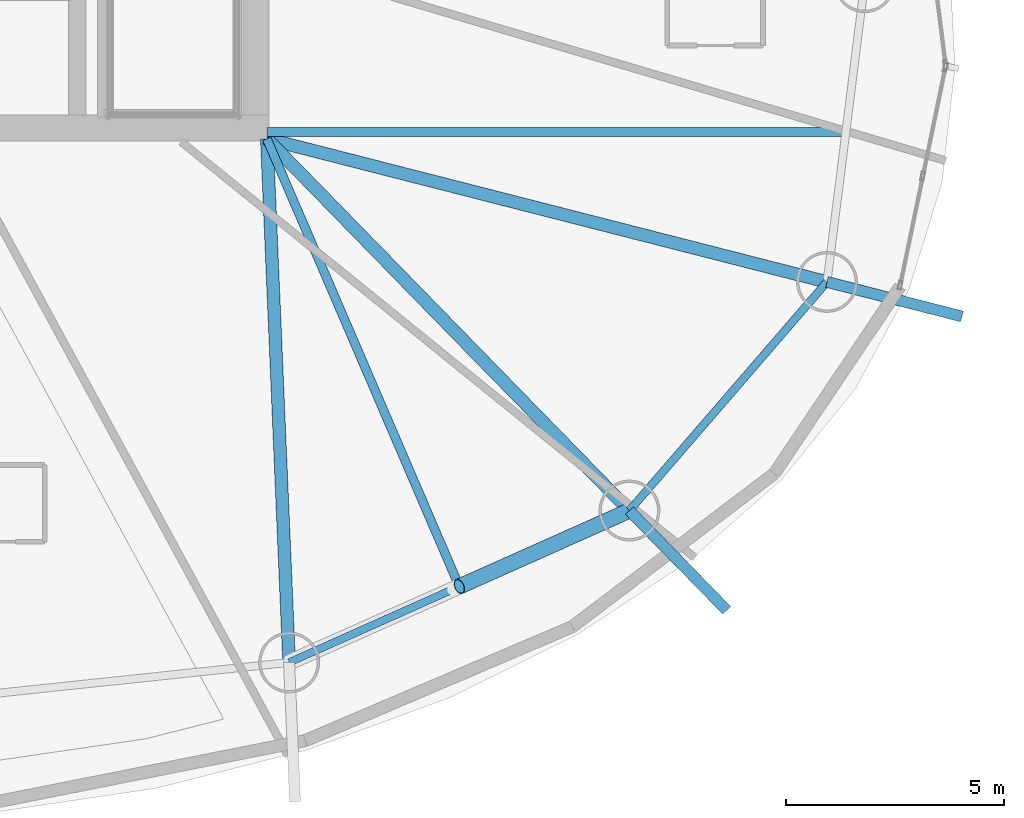
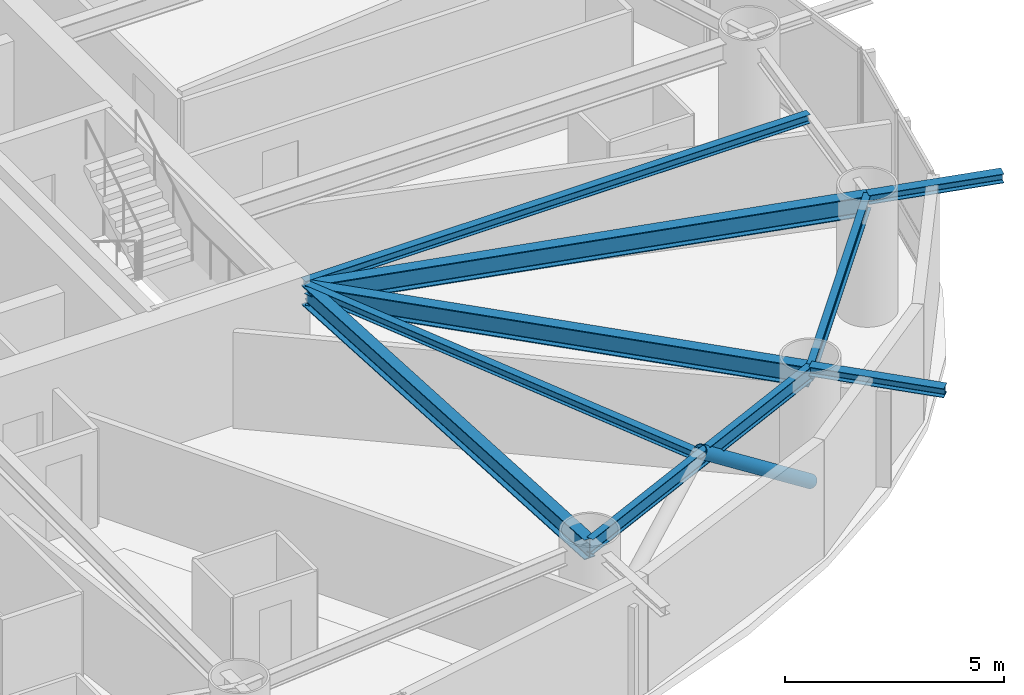
# One storey, part 9 of 26: 9 beams, 1 member.
"""IFC4 building model written with IfcOpenShell, lengths in metres."""

import ifcopenshell
import ifcopenshell.guid

model = None  # the IFC model being written
_history = None  # IfcOwnerHistory: only IFC2X3 demands one
_inside = {}  # id of a spatial element -> (the spatial element, [elements in it])
_under = {}  # id of a project, library or spatial element -> (it, [spatial elements below it])
_declared = {}  # id of a project -> (the project, [libraries it declares])
_typed = {}  # id of a type object -> (the type object, [elements of that type])
_made_of = {}  # id of a material, layer set ... -> (it, [elements and type objects made of it])


def new_model(schema):
    """Start an empty IFC model of exactly this schema.

    Asked for "IFC4X3", IfcOpenShell would pick the latest addendum, in which some entities
    have other attributes; the version numbers below select the first issue.
    IFC2X3 requires an IfcOwnerHistory on every rooted entity: one is made here for all.
    """
    global model, _history
    if schema == "IFC4X3":
        model = ifcopenshell.file(schema_version=(4, 3, 0, 0))
    else:
        model = ifcopenshell.file(schema=schema)
    _inside.clear()
    _under.clear()
    _declared.clear()
    _typed.clear()
    _made_of.clear()
    _history = None
    if model.schema == "IFC2X3":
        org = make("IfcOrganization", Name="unknown")
        user = make(
            "IfcPersonAndOrganization",
            ThePerson=make("IfcPerson", FamilyName="unknown"),
            TheOrganization=org,
        )
        app = make(
            "IfcApplication",
            ApplicationDeveloper=org,
            Version="unknown",
            ApplicationFullName="unknown",
            ApplicationIdentifier="unknown",
        )
        _history = make(
            "IfcOwnerHistory",
            OwningUser=user,
            OwningApplication=app,
            ChangeAction="ADDED",
            CreationDate=0,
        )
    return model


def make(cls, **values):
    """One entity of the class cls with the attributes given. An attribute that is None is left unset."""
    return model.create_entity(
        cls, **{name: value for name, value in values.items() if value is not None}
    )


def rooted(cls, **values):
    """An entity with a GlobalId (a new one), such as an element, a storey or a relation."""
    return make(cls, GlobalId=ifcopenshell.guid.new(), OwnerHistory=_history, **values)


def si_unit(unit_type, name, prefix=None):
    """IfcSIUnit, for example si_unit("LENGTHUNIT", "METRE", prefix="MILLI")."""
    return make("IfcSIUnit", UnitType=unit_type, Prefix=prefix, Name=name)


def assignment(units):
    """IfcUnitAssignment: the units of a project."""
    return None if units is None else make("IfcUnitAssignment", Units=units)


def point(xyz):
    """IfcCartesianPoint."""
    return None if xyz is None else make("IfcCartesianPoint", Coordinates=xyz)


def direction(xyz):
    """IfcDirection."""
    return None if xyz is None else make("IfcDirection", DirectionRatios=xyz)


def frame(location, z_axis=None, x_axis=None):
    """IfcAxis2Placement3D, a coordinate frame: its origin and axes. An axis left out is left unset."""
    return make(
        "IfcAxis2Placement3D",
        Location=point(location),
        Axis=direction(z_axis),
        RefDirection=direction(x_axis),
    )


def frame_2d(location, x_axis=None):
    """IfcAxis2Placement2D, a coordinate frame in the plane: its origin and x axis."""
    return make(
        "IfcAxis2Placement2D", Location=point(location), RefDirection=direction(x_axis)
    )


def origin():
    """The frame at (0, 0, 0) with its axes left unset."""
    return frame((0.0, 0.0, 0.0))


def origin_2d():
    """The frame at (0, 0) in the plane with its x axis left unset."""
    return frame_2d((0.0, 0.0))


def place(relative_to, where):
    """IfcLocalPlacement: puts the frame where relative to a parent placement (None: the world)."""
    return make(
        "IfcLocalPlacement", PlacementRelTo=relative_to, RelativePlacement=where
    )


def context(
    kind, dimensions, precision=None, world=None, true_north=None, identifier=None
):
    """IfcGeometricRepresentationContext, for example the 3D "Model" context."""
    return make(
        "IfcGeometricRepresentationContext",
        ContextIdentifier=identifier,
        ContextType=kind,
        CoordinateSpaceDimension=dimensions,
        Precision=precision,
        WorldCoordinateSystem=world,
        TrueNorth=true_north,
    )


def subcontext(parent, identifier, kind, view, scale=None):
    """IfcGeometricRepresentationSubContext, for example "Body" below "Model"."""
    return make(
        "IfcGeometricRepresentationSubContext",
        ContextIdentifier=identifier,
        ContextType=kind,
        ParentContext=parent,
        TargetScale=scale,
        TargetView=view,
    )


def project(units=None, contexts=None):
    """IfcProject with its units and contexts."""
    return rooted(
        "IfcProject",
        Name="project",
        RepresentationContexts=contexts,
        UnitsInContext=assignment(units),
    )


def spatial(cls, under=None, at=None, **own):
    """A site, building, storey or space (cls), placed at a placement, below another one or the project."""
    s = rooted(cls, ObjectPlacement=at, **own)
    if under is not None:
        _under.setdefault(under.id(), (under, []))[1].append(s)
    return s


def profile(cls, at=None, kind="AREA", **sizes):
    """A parametric profile (cls). Its sizes go by their IFC names, for example OverallWidth=200.0."""
    return make(cls, ProfileType=kind, Position=at, **sizes)


def hollow_circle(**sizes):
    """IfcCircleHollowProfileDef."""
    return profile("IfcCircleHollowProfileDef", **sizes)


def i_section(**sizes):
    """IfcIShapeProfileDef."""
    return profile("IfcIShapeProfileDef", **sizes)


def extrude(swept, where, along, depth):
    """IfcExtrudedAreaSolid: the profile swept, set in the frame where, extruded along a direction by depth."""
    return make(
        "IfcExtrudedAreaSolid",
        SweptArea=swept,
        Position=where,
        ExtrudedDirection=direction(along),
        Depth=depth,
    )


def shape(context_of_items, identifier, shape_type, items):
    """IfcShapeRepresentation: the items that make up one representation, for example the "Body"."""
    return make(
        "IfcShapeRepresentation",
        ContextOfItems=context_of_items,
        RepresentationIdentifier=identifier,
        RepresentationType=shape_type,
        Items=items,
    )


def material(Name=None, Category=None):
    """IfcMaterial."""
    return make("IfcMaterial", Name=Name, Category=Category)


def material_profile(
    of_material, cross_section, Name=None, Category=None, Priority=None
):
    """IfcMaterialProfile: a cross section and its material."""
    return make(
        "IfcMaterialProfile",
        Name=Name,
        Material=of_material,
        Profile=cross_section,
        Priority=Priority,
        Category=Category,
    )


def profile_set(profiles, Name=None, composite=None):
    """IfcMaterialProfileSet."""
    return make(
        "IfcMaterialProfileSet",
        Name=Name,
        MaterialProfiles=profiles,
        CompositeProfile=composite,
    )


def made_of(thing, what):
    """Note that an element or type object is made of a material, layer set ...; save() writes the relation."""
    if what is not None:
        _made_of.setdefault(what.id(), (what, []))[1].append(thing)
    return thing


def type_object(cls, material=None, **own):
    """A type object (cls), such as IfcWallType, which elements share."""
    return made_of(rooted(cls, **own), material)


def element(
    cls,
    number,
    at=None,
    inside=None,
    cuts=None,
    type_object=None,
    material=None,
    context=None,
    identifier="Body",
    shape_type=None,
    held_by="IfcProductDefinitionShape",
    body=None,
    shapes=None,
    **own,
):
    """One element of the class cls, such as IfcWall. Its Tag is "e" and its number.

    at: its placement. inside: the storey or other place that contains it. cuts: it is an
    opening in that element (IfcRelVoidsElement). A single representation is given by context,
    identifier, shape_type and body (its items); several are given by shapes. held_by: the class
    of the entity that holds the representations. save() writes the other relations.
    """
    e = rooted(cls, Tag="e%d" % number, ObjectPlacement=at, **own)
    if body is not None:
        shapes = [shape(context, identifier, shape_type, body)]
    if shapes is not None:
        e.Representation = make(held_by, Representations=shapes)
    if inside is not None:
        _inside.setdefault(inside.id(), (inside, []))[1].append(e)
    if cuts is not None:
        rooted(
            "IfcRelVoidsElement", RelatingBuildingElement=cuts, RelatedOpeningElement=e
        )
    if type_object is not None:
        _typed.setdefault(type_object.id(), (type_object, []))[1].append(e)
    return made_of(e, material)


def aggregate(whole, parts):
    """IfcRelAggregates: a whole, such as a stair, and the parts it consists of."""
    return rooted("IfcRelAggregates", RelatingObject=whole, RelatedObjects=parts)


def save(model, path):
    """Write the relations noted so far, then the file.

    IfcRelAggregates (storeys below a building ...), IfcRelContainedInSpatialStructure (elements
    in a storey), IfcRelDefinesByType, IfcRelAssociatesMaterial and IfcRelDeclares: one each for
    every whole, place, type object, material and project.
    """
    for whole, parts in _under.values():
        aggregate(whole, parts)
    for where, things in _inside.values():
        rooted(
            "IfcRelContainedInSpatialStructure",
            RelatedElements=things,
            RelatingStructure=where,
        )
    for kind, things in _typed.values():
        rooted("IfcRelDefinesByType", RelatedObjects=things, RelatingType=kind)
    for what, things in _made_of.values():
        rooted("IfcRelAssociatesMaterial", RelatedObjects=things, RelatingMaterial=what)
    for by, libraries in _declared.values():
        rooted("IfcRelDeclares", RelatingContext=by, RelatedDefinitions=libraries)
    model.write(path)


model = new_model("IFC4")

# Units and contexts
model_context = context("Model", 3, precision=1e-05, world=origin(), true_north=direction((0.0, 1.0)))
body_context = subcontext(model_context, "Body", "Model", "MODEL_VIEW")
ifc_project = project(units=[si_unit("LENGTHUNIT", "METRE"), si_unit("AREAUNIT", "SQUARE_METRE"), si_unit("VOLUMEUNIT", "CUBIC_METRE"), si_unit("PLANEANGLEUNIT", "RADIAN"), si_unit("MASSUNIT", "GRAM", prefix="KILO")], contexts=[model_context])

# Site, building, storey
site_placement = place(None, origin())
site = spatial("IfcSite", under=ifc_project, at=site_placement, CompositionType="ELEMENT")
building_placement = place(site_placement, origin())
building = spatial("IfcBuilding", under=site, at=building_placement, Name="Bramvorn Convention Spire", CompositionType="ELEMENT")
storey_placement = place(building_placement, frame((0.0, 0.0, 123.800048828125)))
storey = spatial("IfcBuildingStorey", under=building, at=storey_placement, Name="L30", CompositionType="ELEMENT", Elevation=123.800048828125)

# Beams
ifc_material = material(Name="Steel CSA G40.21 Grade 350 (350W)", Category="steel")
ifc_material_profile_1 = material_profile(ifc_material, i_section(OverallWidth=0.201904296875, OverallDepth=0.2470703125, WebThickness=0.00732421875, FlangeThickness=0.010986328125, FilletRadius=0.011962890625, at=origin_2d()))
ifc_profile_set_1 = profile_set([ifc_material_profile_1], Name="Steel CSA G40.21 Grade 350 (350W) - W250X49")
beam_type_1 = type_object("IfcBeamType", Name="BM-W250X49", PredefinedType="JOIST", material=ifc_profile_set_1)
beam_1_placement = place(storey_placement, frame((49.25, 18.705078125, 3.136474609375), z_axis=(1.0, 0.0, 0.0), x_axis=(0.0, 1.0, 0.0)))
element("IfcBeam", 1, at=beam_1_placement, inside=storey, type_object=beam_type_1, Name="L30 composite floor joist 01", PredefinedType="JOIST", context=body_context, shape_type="SweptSolid", body=[
    extrude(i_section(OverallWidth=0.201904296875, OverallDepth=0.2470703125, WebThickness=0.00732421875, FlangeThickness=0.010986328125, FilletRadius=0.011962890625, at=origin_2d()), origin(), (0.0, 0.0, 1.0), 13.30078125),
])
beam_2_placement = place(storey_placement, frame((49.25, 18.550048828125, 3.136474609375), z_axis=(0.394937739893, -0.918707886985, 0.0), x_axis=(0.918707886985, 0.394937739893, 0.0)))
element("IfcBeam", 2, at=beam_2_placement, inside=storey, type_object=beam_type_1, Name="L30 composite floor joist 15", PredefinedType="JOIST", context=body_context, shape_type="SweptSolid", body=[
    extrude(i_section(OverallWidth=0.201904296875, OverallDepth=0.2470703125, WebThickness=0.00732421875, FlangeThickness=0.010986328125, FilletRadius=0.011962890625, at=origin_2d()), origin(), (0.0, 0.0, 1.0), 11.19384765625),
])
ifc_material_profile_2 = material_profile(ifc_material, i_section(OverallWidth=0.25390625, OverallDepth=0.2529296875, WebThickness=0.008544921875, FlangeThickness=0.01416015625, FilletRadius=0.011962890625, at=origin_2d()))
ifc_profile_set_2 = profile_set([ifc_material_profile_2], Name="Steel CSA G40.21 Grade 350 (350W) - W250X73")
beam_type_2 = type_object("IfcBeamType", Name="BM-W250X73", PredefinedType="BEAM", material=ifc_profile_set_2)
for number, where, z_axis, x_axis, name in (
    (3, (62.11767578125, 15.26220703125, 3.133544921875), (0.968868276357, -0.24757678217, 0.0), (0.24757678217, 0.968868276357, 0.0), "L30 slab-edge cantilever tip beam MC01"),
    (4, (57.579833984375, 10.0107421875, 3.133544921875), (0.69827808588, -0.715826595468, 0.0), (0.715826595468, 0.69827808588, 0.0), "L30 slab-edge cantilever tip beam MC16"),
):
    element("IfcBeam", number, at=place(storey_placement, frame(where, z_axis=z_axis, x_axis=x_axis)), inside=storey, type_object=beam_type_2, Name=name, PredefinedType="BEAM", context=body_context, shape_type="SweptSolid", body=[
        extrude(i_section(OverallWidth=0.25390625, OverallDepth=0.2529296875, WebThickness=0.008544921875, FlangeThickness=0.01416015625, FilletRadius=0.011962890625, at=origin_2d()), origin(), (0.0, 0.0, 1.0), 3.199951171875),
    ])
ifc_material_profile_3 = material_profile(ifc_material, i_section(OverallWidth=0.180908203125, OverallDepth=0.4169921875, WebThickness=0.010986328125, FlangeThickness=0.018310546875, FilletRadius=0.01611328125, at=origin_2d()))
ifc_profile_set_3 = profile_set([ifc_material_profile_3], Name="Steel CSA G40.21 Grade 350 (350W) - W410X85")
beam_type_3 = type_object("IfcBeamType", Name="BM-W410X85", PredefinedType="JOIST", material=ifc_profile_set_3)
beam_3_placement = place(storey_placement, frame((49.76171875, 6.521240234375, 3.051513671875), z_axis=(0.913169534701, 0.407579931908, 0.0), x_axis=(-0.407579931908, 0.913169534701, 0.0)))
element("IfcBeam", 5, at=beam_3_placement, inside=storey, type_object=beam_type_3, Name="L30 mega-column ring beam 15", PredefinedType="JOIST", context=body_context, shape_type="SweptSolid", body=[
    extrude(i_section(OverallWidth=0.180908203125, OverallDepth=0.4169921875, WebThickness=0.010986328125, FlangeThickness=0.018310546875, FilletRadius=0.01611328125, at=origin_2d()), origin(), (0.0, 0.0, 1.0), 8.5615234375),
])
beam_4_placement = place(storey_placement, frame((57.579833984375, 10.0107421875, 3.051513671875), z_axis=(0.653824993824, 0.756645807132, 0.0), x_axis=(-0.756645807132, 0.653824993824, 0.0)))
element("IfcBeam", 6, at=beam_4_placement, inside=storey, type_object=beam_type_3, Name="L30 mega-column ring beam 16", PredefinedType="JOIST", context=body_context, shape_type="SweptSolid", body=[
    extrude(i_section(OverallWidth=0.180908203125, OverallDepth=0.4169921875, WebThickness=0.010986328125, FlangeThickness=0.018310546875, FilletRadius=0.01611328125, at=origin_2d()), origin(), (0.0, 0.0, 1.0), 6.9404296875),
])
ifc_material_profile_4 = material_profile(ifc_material, i_section(OverallWidth=0.2919921875, OverallDepth=0.551025390625, WebThickness=0.01513671875, FlangeThickness=0.0244140625, FilletRadius=0.01904296875, at=origin_2d()))
ifc_profile_set_4 = profile_set([ifc_material_profile_4], Name="Steel CSA G40.21 Grade 350 (350W) - W530X182")
beam_type_4 = type_object("IfcBeamType", Name="BM-W530X182", PredefinedType="BEAM", material=ifc_profile_set_4)
beam_5_placement = place(storey_placement, frame((49.25, 18.550048828125, 2.984375), z_axis=(0.968872976577, -0.247558387576, 0.0), x_axis=(0.247558387576, 0.968872976577, 0.0)))
element("IfcBeam", 7, at=beam_5_placement, inside=storey, type_object=beam_type_4, Name="L30 radial floor girder MC01", PredefinedType="BEAM", context=body_context, shape_type="SweptSolid", body=[
    extrude(i_section(OverallWidth=0.2919921875, OverallDepth=0.551025390625, WebThickness=0.01513671875, FlangeThickness=0.0244140625, FilletRadius=0.01904296875, at=origin_2d()), origin(), (0.0, 0.0, 1.0), 13.281005859375),
])
beam_6_placement = place(storey_placement, frame((49.25, 18.550048828125, 2.984375), z_axis=(0.042502657955, -0.999096353745, 0.0), x_axis=(0.999096353745, 0.042502657955, 0.0)))
element("IfcBeam", 8, at=beam_6_placement, inside=storey, type_object=beam_type_4, Name="L30 radial floor girder MC15", PredefinedType="BEAM", context=body_context, shape_type="SweptSolid", body=[
    extrude(i_section(OverallWidth=0.2919921875, OverallDepth=0.551025390625, WebThickness=0.01513671875, FlangeThickness=0.0244140625, FilletRadius=0.01904296875, at=origin_2d()), origin(), (0.0, 0.0, 1.0), 12.039794921875),
])
beam_7_placement = place(storey_placement, frame((49.25, 18.550048828125, 2.984375), z_axis=(0.698272445638, -0.715832097397, 0.0), x_axis=(0.715832097397, 0.698272445638, 0.0)))
element("IfcBeam", 9, at=beam_7_placement, inside=storey, type_object=beam_type_4, Name="L30 radial floor girder MC16", PredefinedType="BEAM", context=body_context, shape_type="SweptSolid", body=[
    extrude(i_section(OverallWidth=0.2919921875, OverallDepth=0.551025390625, WebThickness=0.01513671875, FlangeThickness=0.0244140625, FilletRadius=0.01904296875, at=origin_2d()), origin(), (0.0, 0.0, 1.0), 11.92919921875),
])

# Member
ifc_material_profile_5 = material_profile(ifc_material, hollow_circle(Radius=0.177734375, WallThickness=0.015869140625, at=origin_2d()))
ifc_profile_set_5 = profile_set([ifc_material_profile_5], Name="Steel CSA G40.21 Grade 350 (350W) - CHS356X16")
member_type = type_object("IfcMemberType", Name="MBR-CHS356X16", PredefinedType="BRACE", material=ifc_profile_set_5)
member_placement = place(storey_placement, frame((57.579833984375, 10.0107421875, 0.0), z_axis=(-0.726482979428, -0.324242543938, 0.605878909768), x_axis=(0.407566765821, -0.913175411078, 0.0)))
element("IfcMember", 10, at=member_placement, inside=storey, type_object=member_type, Name="L30 perimeter Gothic lancet brace 15B", PredefinedType="BRACE", context=body_context, shape_type="SweptSolid", body=[
    extrude(hollow_circle(Radius=0.177734375, WallThickness=0.015869140625, at=origin_2d()), origin(), (0.0, 0.0, 1.0), 5.380615234375),
])

save(model, "model.ifc")
